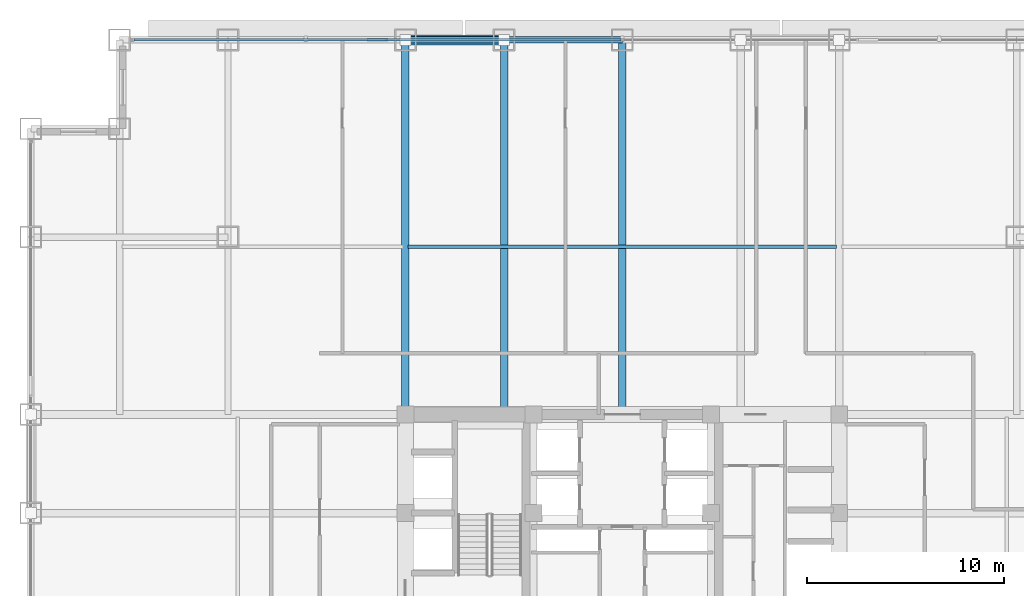
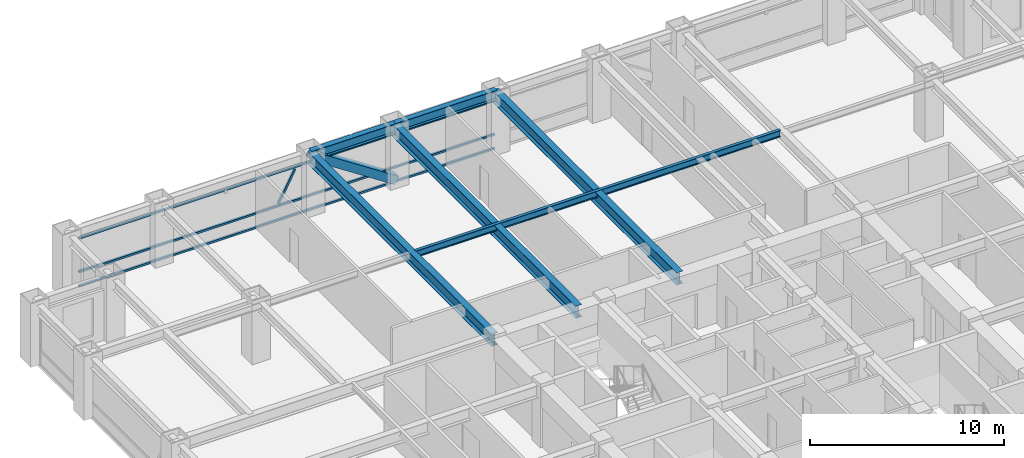
# One storey, part 15 of 28: 6 beams, 5 members, 1 element without a shape of its own.
"""IFC4 building model written with IfcOpenShell, lengths in metres."""

from ifc_helpers import new_model, si_unit, direction, frame, origin, origin_2d, place, context, subcontext, project, spatial, hollow_rectangle, i_section, extrude, source, transform, mapped, material, material_profile, profile_set, type_object, element, aggregate, save


model = new_model("IFC4")

# Units and contexts
model_context = context("Model", 3, precision=1e-05, world=origin(), true_north=direction((0.0, 1.0)))
body_context = subcontext(model_context, "Body", "Model", "MODEL_VIEW")
ifc_project = project(units=[si_unit("LENGTHUNIT", "METRE"), si_unit("AREAUNIT", "SQUARE_METRE"), si_unit("VOLUMEUNIT", "CUBIC_METRE"), si_unit("PLANEANGLEUNIT", "RADIAN"), si_unit("MASSUNIT", "GRAM", prefix="KILO")], contexts=[model_context])

# Site, building, storey
site_placement = place(None, origin())
site = spatial("IfcSite", under=ifc_project, at=site_placement, CompositionType="ELEMENT")
building_placement = place(site_placement, origin())
building = spatial("IfcBuilding", under=site, at=building_placement, Name="Khorayat Bourse Tower", CompositionType="ELEMENT")
storey_placement = place(building_placement, frame((0.0, 0.0, 191.10009765625)))
storey = spatial("IfcBuildingStorey", under=building, at=storey_placement, Name="L44", CompositionType="ELEMENT", Elevation=191.10009765625)

# Beams
ifc_material_1 = material(Name="Steel ASTM A992 Grade 50", Category="steel")
ifc_material_profile_1 = material_profile(ifc_material_1, i_section(OverallWidth=0.381103515625, OverallDepth=0.77294921875, WebThickness=0.0166015625, FlangeThickness=0.027587890625, FilletRadius=0.01806640625, at=origin_2d()), Name="W760X257")
ifc_profile_set_1 = profile_set([ifc_material_profile_1], Name="Steel ASTM A992 Grade 50")
beam_type_1 = type_object("IfcBeamType", Name="BM-GIRD-760", PredefinedType="BEAM", material=ifc_profile_set_1)
shared_shape_1 = source(origin(), body_context, "Body", "SweptSolid", [
    extrude(i_section(OverallWidth=0.381103515625, OverallDepth=0.77294921875, WebThickness=0.0166015625, FlangeThickness=0.027587890625, FilletRadius=0.01806640625, at=origin_2d()), origin(), (0.0, 0.0, 1.0), 19.0),
])
for number, where, z_axis, x_axis, name in (
    (1, (-11.0, 11.0, 3.393310546875), (0.0, 1.0, 0.0), (-1.0, 0.0, 0.0), "L44 BM-GIRD-760 BM-L44-RADY-064"),
    (2, (-6.0, 11.0, 3.393310546875), (0.0, 1.0, 0.0), (-1.0, 0.0, 0.0), "L44 BM-GIRD-760 BM-L44-RADY-066"),
    (3, (0.0, 11.0, 3.393310546875), (0.0, 1.0, 0.0), (-1.0, 0.0, 0.0), "L44 BM-GIRD-760 BM-L44-RADY-068"),
):
    element("IfcBeam", number, at=place(storey_placement, frame(where, z_axis=z_axis, x_axis=x_axis)), inside=storey, type_object=beam_type_1, Name=name, PredefinedType="BEAM", context=body_context, shape_type="MappedRepresentation", body=[
        mapped(shared_shape_1, transform((0.0, 0.0, 0.0), scale=1.0)),
    ])
ifc_material_profile_2 = material_profile(ifc_material_1, i_section(OverallWidth=0.180908203125, OverallDepth=0.4169921875, WebThickness=0.010986328125, FlangeThickness=0.018310546875, FilletRadius=0.011962890625, at=origin_2d()), Name="W410X85")
ifc_profile_set_2 = profile_set([ifc_material_profile_2], Name="Steel ASTM A992 Grade 50")
beam_type_2 = type_object("IfcBeamType", Name="BM-JOIST-410", PredefinedType="JOIST", material=ifc_profile_set_2)
shared_shape_2 = source(origin(), body_context, "Body", "SweptSolid", [
    extrude(i_section(OverallWidth=0.180908203125, OverallDepth=0.4169921875, WebThickness=0.010986328125, FlangeThickness=0.018310546875, FilletRadius=0.011962890625, at=origin_2d()), origin(), (0.0, 0.0, 1.0), 21.740234375),
])
beam_1_placement = place(storey_placement, frame((-10.8701171875, 19.5, 3.5712890625), z_axis=(1.0, 0.0, 0.0), x_axis=(0.0, 1.0, 0.0)))
element("IfcBeam", 4, at=beam_1_placement, inside=storey, type_object=beam_type_2, Name="L44 BM-JOIST-410 BM-L44-JSTX-100", PredefinedType="JOIST", context=body_context, shape_type="MappedRepresentation", body=[
    mapped(shared_shape_2, transform((0.0, 0.0, 0.0), scale=1.0)),
])
ifc_material_profile_3 = material_profile(ifc_material_1, i_section(OverallWidth=0.324951171875, OverallDepth=0.615966796875, WebThickness=0.013916015625, FlangeThickness=0.021484375, FilletRadius=0.01611328125, at=origin_2d()), Name="W610X174")
ifc_profile_set_3 = profile_set([ifc_material_profile_3], Name="Steel ASTM A992 Grade 50")
beam_type_3 = type_object("IfcBeamType", Name="BM-SPAN-610", PredefinedType="SPANDREL", material=ifc_profile_set_3)
shared_shape_3 = source(origin(), body_context, "Body", "SweptSolid", [
    extrude(i_section(OverallWidth=0.324951171875, OverallDepth=0.615966796875, WebThickness=0.013916015625, FlangeThickness=0.021484375, FilletRadius=0.01611328125, at=origin_2d()), origin(), (0.0, 0.0, 1.0), 5.0),
])
beam_2_placement = place(storey_placement, frame((-11.0, 30.0, 3.471923828125), z_axis=(1.0, 0.0, 0.0), x_axis=(0.0, 1.0, 0.0)))
element("IfcBeam", 5, at=beam_2_placement, inside=storey, type_object=beam_type_3, Name="L44 BM-SPAN-610 BM-L44-SPN-049", PredefinedType="SPANDREL", context=body_context, shape_type="MappedRepresentation", body=[
    mapped(shared_shape_3, transform((0.0, 0.0, 0.0), scale=1.0)),
])
shared_shape_4 = source(origin(), body_context, "Body", "SweptSolid", [
    extrude(i_section(OverallWidth=0.324951171875, OverallDepth=0.615966796875, WebThickness=0.013916015625, FlangeThickness=0.021484375, FilletRadius=0.01611328125, at=origin_2d()), origin(), (0.0, 0.0, 1.0), 6.0),
])
beam_3_placement = place(storey_placement, frame((-6.0, 30.0, 3.471923828125), z_axis=(1.0, 0.0, 0.0), x_axis=(0.0, 1.0, 0.0)))
element("IfcBeam", 6, at=beam_3_placement, inside=storey, type_object=beam_type_3, Name="L44 BM-SPAN-610 BM-L44-SPN-048", PredefinedType="SPANDREL", context=body_context, shape_type="MappedRepresentation", body=[
    mapped(shared_shape_4, transform((0.0, 0.0, 0.0), scale=1.0)),
])

# Member
ifc_material_2 = material(Name="Steel EN 10025-4 S460M", Category="steel")
ifc_material_profile_4 = material_profile(ifc_material_2, hollow_rectangle(XDim=0.5, YDim=0.5, WallThickness=0.028076171875, at=origin_2d()), Name="HSS 500x500x28")
ifc_profile_set_4 = profile_set([ifc_material_profile_4], Name="Steel EN 10025-4 S460M")
member_type_1 = type_object("IfcMemberType", Name="MBR-TUBE-500", PredefinedType="BRACE", material=ifc_profile_set_4)
shared_shape_5 = source(origin(), body_context, "Body", "SweptSolid", [
    extrude(hollow_rectangle(XDim=0.5, YDim=0.5, WallThickness=0.028076171875, at=origin_2d()), origin(), (0.0, 0.0, 1.0), 5.979736328125),
])
member_1_placement = place(storey_placement, frame((-11.0, 30.0, 3.52978515625), z_axis=(0.836160261256, 0.0, -0.548485202623), x_axis=(0.0, 1.0, 0.0)))
element("IfcMember", 7, at=member_1_placement, inside=storey, type_object=member_type_1, Name="L44 Perimeter Tube Brace 03", PredefinedType="BRACE", context=body_context, shape_type="MappedRepresentation", body=[
    mapped(shared_shape_5, transform((0.0, 0.0, 0.0), scale=1.0)),
])

# Curtain wall, members
ifc_material_3 = material(Name="Aluminium EN AW-6063 T6", Category="aluminium")
curtain_wall_type = type_object("IfcCurtainWallType", Name="CW-SYS-03", PredefinedType="NOTDEFINED", material=ifc_material_3)
curtain_wall_placement = place(storey_placement, origin())
curtain_wall = element("IfcCurtainWall", 8, at=curtain_wall_placement, inside=storey, type_object=curtain_wall_type, Name="L44 Curtain Wall CW-L44-N1", PredefinedType="NOTDEFINED")
ifc_material_profile_5 = material_profile(ifc_material_3, hollow_rectangle(XDim=0.1201171875, YDim=0.1201171875, WallThickness=0.0048828125, at=origin_2d()), Name="ALU 120x120x5")
ifc_profile_set_5 = profile_set([ifc_material_profile_5], Name="Aluminium EN AW-6063 T6")
member_type_2 = type_object("IfcMemberType", Name="CWM-DIAG-120", PredefinedType="MULLION", material=ifc_profile_set_5)
shared_shape_6 = source(origin(), body_context, "Body", "SweptSolid", [
    extrude(hollow_rectangle(XDim=0.1201171875, YDim=0.1201171875, WallThickness=0.0048828125, at=origin_2d()), origin(), (0.0, 0.0, 1.0), 2.079345703125),
])
member_2_placement = place(storey_placement, frame((-12.904296875, 30.0, 1.08984375), z_axis=(0.465760949701, 0.0, 0.884910581773), x_axis=(0.0, 1.0, 0.0)))
member_2 = element("IfcMember", 9, at=member_2_placement, type_object=member_type_2, Name="CW-L44-N1 Faceted Diagonal Mullion 1", PredefinedType="MULLION", context=body_context, shape_type="MappedRepresentation", body=[
    mapped(shared_shape_6, transform((0.0, 0.0, 0.0), scale=1.0)),
])
ifc_material_profile_6 = material_profile(ifc_material_3, hollow_rectangle(XDim=0.1201171875, YDim=0.1201171875, WallThickness=0.0048828125, at=origin_2d()), Name="ALU 120x120x5")
ifc_profile_set_6 = profile_set([ifc_material_profile_6], Name="Aluminium EN AW-6063 T6")
member_type_3 = type_object("IfcMemberType", Name="CWT-HORZ-120", PredefinedType="USERDEFINED", material=ifc_profile_set_6)
shared_shape_7 = source(origin(), body_context, "Body", "SweptSolid", [
    extrude(hollow_rectangle(XDim=0.1201171875, YDim=0.1201171875, WallThickness=0.0048828125, at=origin_2d()), origin(), (0.0, 0.0, 1.0), 24.719970703125),
])
member_3_placement = place(storey_placement, frame((-24.780029296875, 30.0, 0.059814453125), z_axis=(1.0, 0.0, 0.0), x_axis=(0.0, 1.0, 0.0)))
member_3 = element("IfcMember", 10, at=member_3_placement, type_object=member_type_3, Name="CW-L44-N1 Horizontal Transom 1-1", ObjectType="TRANSOM", PredefinedType="USERDEFINED", context=body_context, shape_type="MappedRepresentation", body=[
    mapped(shared_shape_7, transform((0.0, 0.0, 0.0), scale=1.0)),
])
member_4_placement = place(storey_placement, frame((-24.780029296875, 30.0, 0.949951171875), z_axis=(1.0, 0.0, 0.0), x_axis=(0.0, 1.0, 0.0)))
member_4 = element("IfcMember", 11, at=member_4_placement, type_object=member_type_3, Name="CW-L44-N1 Horizontal Transom 1-2", ObjectType="TRANSOM", PredefinedType="USERDEFINED", context=body_context, shape_type="MappedRepresentation", body=[
    mapped(shared_shape_7, transform((0.0, 0.0, 0.0), scale=1.0)),
])
member_5_placement = place(storey_placement, frame((-24.780029296875, 30.0, 3.06982421875), z_axis=(1.0, 0.0, 0.0), x_axis=(0.0, 1.0, 0.0)))
member_5 = element("IfcMember", 12, at=member_5_placement, type_object=member_type_3, Name="CW-L44-N1 Horizontal Transom 1-3", ObjectType="TRANSOM", PredefinedType="USERDEFINED", context=body_context, shape_type="MappedRepresentation", body=[
    mapped(shared_shape_7, transform((0.0, 0.0, 0.0), scale=1.0)),
])
aggregate(curtain_wall, [member_3, member_4, member_5, member_2])

save(model, "model.ifc")
